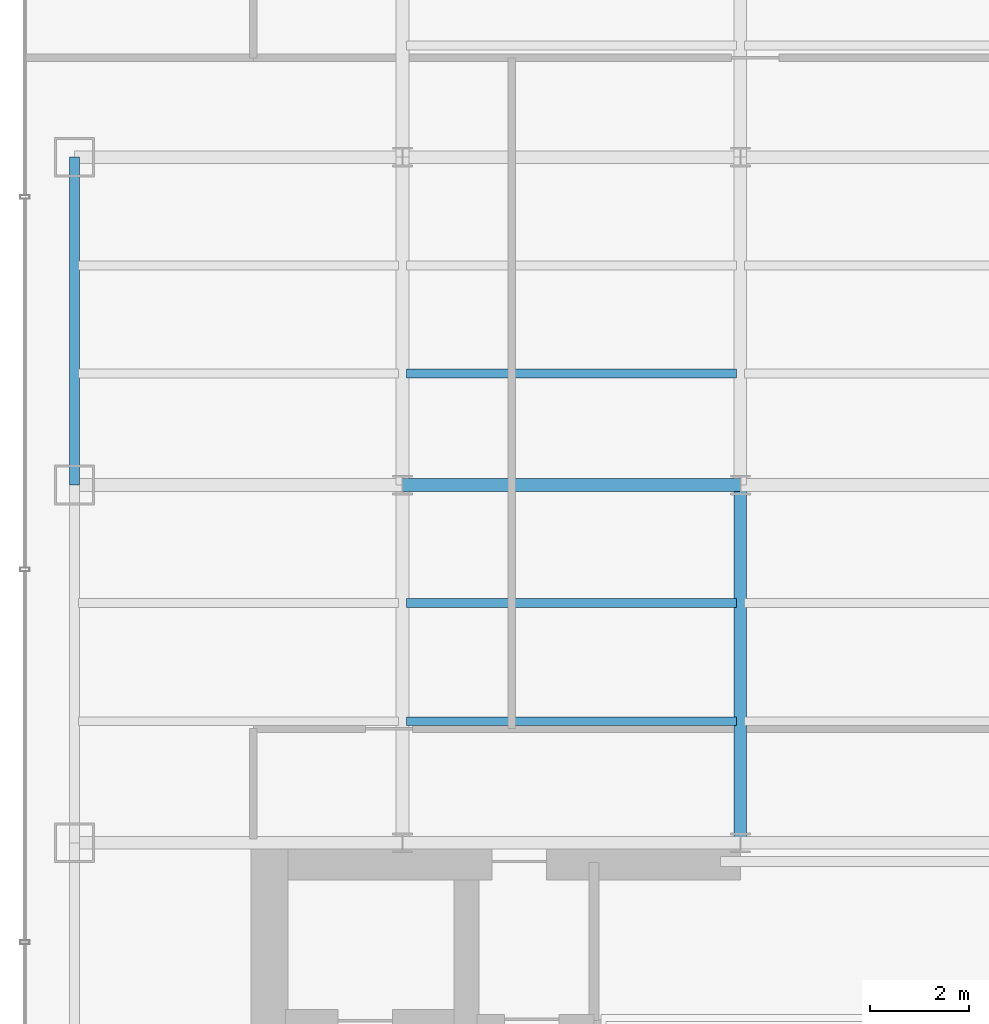
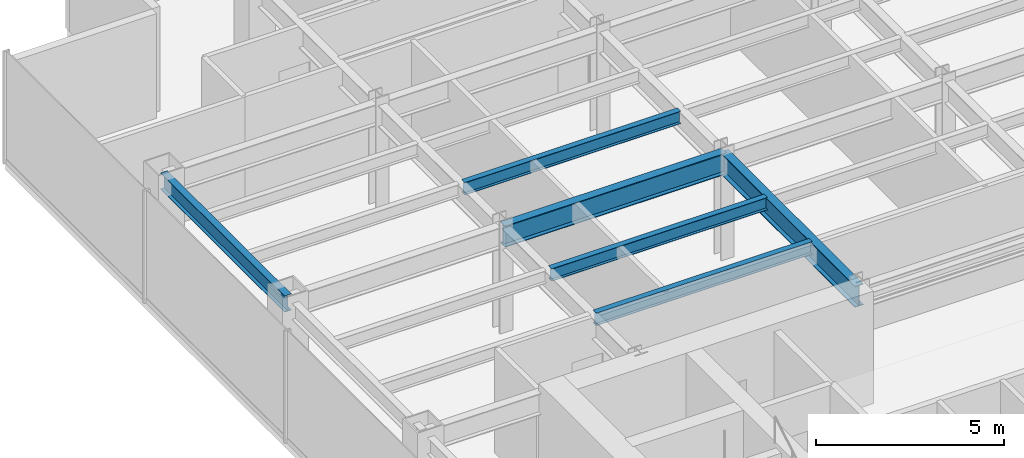
# One storey, part 5 of 26: 6 beams.
"""IFC4 building model written with IfcOpenShell, lengths in metres."""

from ifc_helpers import new_model, si_unit, derived_unit, direction, frame, origin, origin_2d, place, context, subcontext, project, spatial, i_section, extrude, source, transform, mapped, material, material_profile, profile_set, type_object, element, save


model = new_model("IFC4")

# Units and contexts
model_context = context("Model", 3, precision=1e-05, world=origin(), true_north=direction((0.0, 1.0)))
body_context = subcontext(model_context, "Body", "Model", "MODEL_VIEW")
ifc_project = project(units=[si_unit("LENGTHUNIT", "METRE"), si_unit("AREAUNIT", "SQUARE_METRE"), si_unit("VOLUMEUNIT", "CUBIC_METRE"), si_unit("PLANEANGLEUNIT", "RADIAN"), si_unit("MASSUNIT", "GRAM", prefix="KILO"), derived_unit("THERMALTRANSMITTANCEUNIT", [(si_unit("POWERUNIT", "WATT"), 1), (si_unit("LENGTHUNIT", "METRE"), -2), (si_unit("THERMODYNAMICTEMPERATUREUNIT", "KELVIN"), -1)])], contexts=[model_context])

# Site, building, storey
site_placement = place(None, origin())
site = spatial("IfcSite", under=ifc_project, at=site_placement, CompositionType="ELEMENT")
building_placement = place(site_placement, origin())
building = spatial("IfcBuilding", under=site, at=building_placement, Name="Skarnbrae Concourse Arena and Tower", CompositionType="ELEMENT")
storey_placement = place(building_placement, frame((0.0, 0.0, 103.25)))
storey = spatial("IfcBuildingStorey", under=building, at=storey_placement, Name="L25", CompositionType="ELEMENT", Elevation=103.25)

# Beams
ifc_material = material(Name="Steel CSA G40.21 350W", Category="steel")
ifc_material_profile_1 = material_profile(ifc_material, i_section(OverallWidth=0.256103515625, OverallDepth=0.693115234375, WebThickness=0.014404296875, FlangeThickness=0.023681640625, at=origin_2d()), Name="W690X170")
ifc_profile_set_1 = profile_set([ifc_material_profile_1], Name="Steel CSA G40.21 350W")
beam_type_1 = type_object("IfcBeamType", Name="BM-GIRD-W690X170", PredefinedType="BEAM", material=ifc_profile_set_1)
shared_shape_1 = source(origin(), body_context, "Body", "SweptSolid", [
    extrude(i_section(OverallWidth=0.256103515625, OverallDepth=0.693115234375, WebThickness=0.014404296875, FlangeThickness=0.023681640625, at=origin_2d()), origin(), (0.0, 0.0, 1.0), 6.7998046875),
])
beam_1_placement = place(storey_placement, frame((7.60009765625, 21.199951171875, 3.053466796875), z_axis=(1.0, 0.0, 0.0), x_axis=(0.0, 1.0, 0.0)))
element("IfcBeam", 1, at=beam_1_placement, inside=storey, type_object=beam_type_1, Name="L25 Primary E-W girder Y21.2-2", PredefinedType="BEAM", context=body_context, shape_type="MappedRepresentation", body=[
    mapped(shared_shape_1, transform((0.0, 0.0, 0.0))),
])
ifc_material_profile_2 = material_profile(ifc_material, i_section(OverallWidth=0.208984375, OverallDepth=0.532958984375, WebThickness=0.01025390625, FlangeThickness=0.015625, at=origin_2d()), Name="W530X92")
ifc_profile_set_2 = profile_set([ifc_material_profile_2], Name="Steel CSA G40.21 350W")
beam_type_2 = type_object("IfcBeamType", Name="BM-SPAN-W530X92", PredefinedType="SPANDREL", material=ifc_profile_set_2)
shared_shape_2 = source(origin(), body_context, "Body", "SweptSolid", [
    extrude(i_section(OverallWidth=0.208984375, OverallDepth=0.532958984375, WebThickness=0.01025390625, FlangeThickness=0.015625, at=origin_2d()), origin(), (0.0, 0.0, 1.0), 6.60009765625),
])
beam_2_placement = place(storey_placement, frame((1.0, 21.199951171875, 3.133544921875), z_axis=(0.0, 1.0, 0.0), x_axis=(-1.0, 0.0, 0.0)))
element("IfcBeam", 2, at=beam_2_placement, inside=storey, type_object=beam_type_2, Name="L25 Perimeter spandrel X1.0-3", PredefinedType="SPANDREL", context=body_context, shape_type="MappedRepresentation", body=[
    mapped(shared_shape_2, transform((0.0, 0.0, 0.0))),
])
shared_shape_3 = source(origin(), body_context, "Body", "SweptSolid", [
    extrude(i_section(OverallWidth=0.256103515625, OverallDepth=0.693115234375, WebThickness=0.014404296875, FlangeThickness=0.023681640625, at=origin_2d()), origin(), (0.0, 0.0, 1.0), 7.199951171875),
])
beam_3_placement = place(storey_placement, frame((14.39990234375, 14.0, 3.053466796875), z_axis=(0.0, 1.0, 0.0), x_axis=(-1.0, 0.0, 0.0)))
element("IfcBeam", 3, at=beam_3_placement, inside=storey, type_object=beam_type_1, Name="L25 Primary N-S girder X14.4-1", PredefinedType="BEAM", context=body_context, shape_type="MappedRepresentation", body=[
    mapped(shared_shape_3, transform((0.0, 0.0, 0.0))),
])
ifc_material_profile_3 = material_profile(ifc_material, i_section(OverallWidth=0.177978515625, OverallDepth=0.406982421875, WebThickness=0.0078125, FlangeThickness=0.0126953125, at=origin_2d()), Name="W410X60")
ifc_profile_set_3 = profile_set([ifc_material_profile_3], Name="Steel CSA G40.21 350W")
beam_type_3 = type_object("IfcBeamType", Name="BM-JOIST-W410X60", PredefinedType="JOIST", material=ifc_profile_set_3)
shared_shape_4 = source(origin(), body_context, "Body", "SweptSolid", [
    extrude(i_section(OverallWidth=0.177978515625, OverallDepth=0.406982421875, WebThickness=0.0078125, FlangeThickness=0.0126953125, at=origin_2d()), origin(), (0.0, 0.0, 1.0), 6.64013671875),
])
for number, where, z_axis, x_axis, name in (
    (4, (7.679931640625, 16.447998046875, 3.196533203125), (1.0, 0.0, 0.0), (0.0, 1.0, 0.0), "L25 Secondary floor joist 1.1.2"),
    (5, (7.679931640625, 18.823974609375, 3.196533203125), (1.0, 0.0, 0.0), (0.0, 1.0, 0.0), "L25 Secondary floor joist 1.2.2"),
    (6, (7.679931640625, 23.444091796875, 3.196533203125), (1.0, 0.0, 0.0), (0.0, 1.0, 0.0), "L25 Secondary floor joist 2.1.2"),
):
    element("IfcBeam", number, at=place(storey_placement, frame(where, z_axis=z_axis, x_axis=x_axis)), inside=storey, type_object=beam_type_3, Name=name, PredefinedType="JOIST", context=body_context, shape_type="MappedRepresentation", body=[
        mapped(shared_shape_4, transform((0.0, 0.0, 0.0))),
    ])

save(model, "model.ifc")
